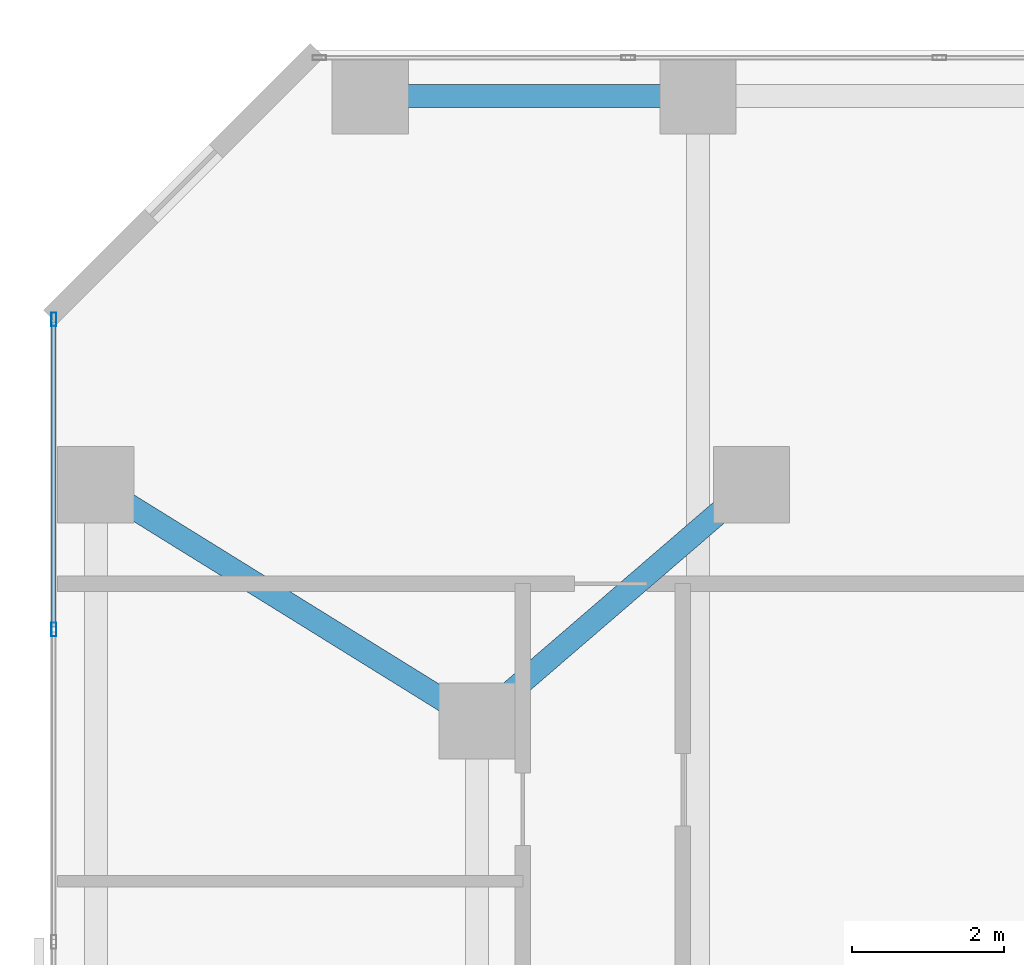
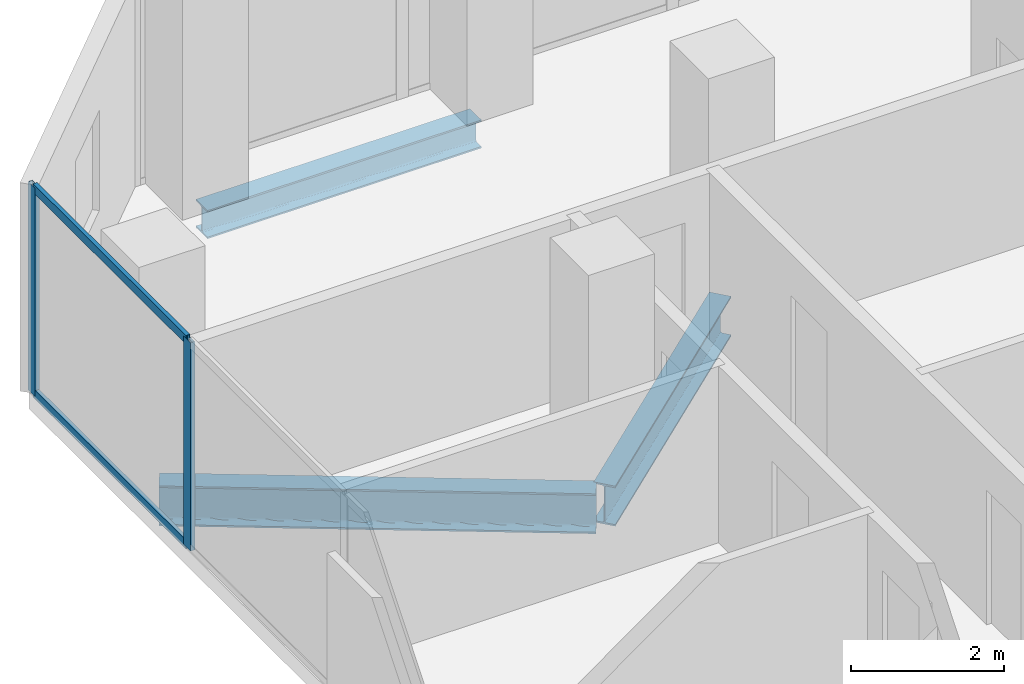
# One storey, part 18 of 31: 4 members, 3 beams, 1 element without a shape of its own.
"""IFC4 building model written with IfcOpenShell, lengths in metres."""

from ifc_helpers import new_model, si_unit, direction, frame, origin, origin_2d, place, context, subcontext, project, spatial, hollow_rectangle, i_section, extrude, material, layer, layer_set, material_profile, profile_set, type_object, element, aggregate, save


model = new_model("IFC4")

# Units and contexts
model_context = context("Model", 3, precision=1e-05, world=origin(), true_north=direction((0.0, 1.0)))
body_context = subcontext(model_context, "Body", "Model", "MODEL_VIEW")
ifc_project = project(units=[si_unit("LENGTHUNIT", "METRE"), si_unit("AREAUNIT", "SQUARE_METRE"), si_unit("VOLUMEUNIT", "CUBIC_METRE"), si_unit("PLANEANGLEUNIT", "RADIAN"), si_unit("MASSUNIT", "GRAM", prefix="KILO")], contexts=[model_context])

# Site, building, storey
site_placement = place(None, origin())
site = spatial("IfcSite", under=ifc_project, at=site_placement, CompositionType="ELEMENT")
building_placement = place(site_placement, origin())
building = spatial("IfcBuilding", under=site, at=building_placement, Name="Catumbela Crestline Tower", CompositionType="ELEMENT")
storey_placement = place(building_placement, frame((0.0, 0.0, 36.6)))
storey = spatial("IfcBuildingStorey", under=building, at=storey_placement, Name="L08", CompositionType="ELEMENT", Elevation=36.6)

# Beams
ifc_material_1 = material(Name="Structural steel S355J2", Category="steel")
ifc_material_profile_1 = material_profile(ifc_material_1, i_section(OverallWidth=0.3, OverallDepth=0.64, WebThickness=0.0135, FlangeThickness=0.026, FilletRadius=0.027, at=origin_2d()), Name="HEA 650")
ifc_profile_set_1 = profile_set([ifc_material_profile_1], Name="Structural steel S355J2")
beam_type_1 = type_object("IfcBeamType", Name="BG-HEA650", PredefinedType="BEAM", material=ifc_profile_set_1)
beam_1_placement = place(storey_placement, frame((0.668, 42.2578, -0.58), z_axis=(0.849908952007, -0.526929571479, 0.0), x_axis=(0.526929571479, 0.849908952007, 0.0)))
element("IfcBeam", 1, at=beam_1_placement, inside=storey, type_object=beam_type_1, Name="L08 Beam BM-L08-N13", PredefinedType="BEAM", context=body_context, shape_type="SweptSolid", body=[
    extrude(i_section(OverallWidth=0.3, OverallDepth=0.64, WebThickness=0.0135, FlangeThickness=0.026, FilletRadius=0.027, at=origin_2d()), origin(), (0.0, 0.0, 1.0), 5.723),
])
beam_2_placement = place(storey_placement, frame((5.6606, 39.2522, -0.58), z_axis=(0.757772392559, 0.652518966066, 0.0), x_axis=(-0.652518966066, 0.757772392559, 0.0)))
element("IfcBeam", 2, at=beam_2_placement, inside=storey, type_object=beam_type_1, Name="L08 Beam BM-L08-N14", PredefinedType="BEAM", context=body_context, shape_type="SweptSolid", body=[
    extrude(i_section(OverallWidth=0.3, OverallDepth=0.64, WebThickness=0.0135, FlangeThickness=0.026, FilletRadius=0.027, at=origin_2d()), origin(), (0.0, 0.0, 1.0), 4.5908),
])

# Curtain wall, members
ifc_material_2 = material(Name="Aluminium alloy AW-6060-T66", Category="aluminium")
ifc_layer = layer(ifc_material_2, 0.18, Name="Aluminium alloy AW-6060-T66")
ifc_layer_set = layer_set([ifc_layer], Name="Aluminium alloy AW-6060-T66")
curtain_wall_type = type_object("IfcCurtainWallType", Name="CWU-Z1", PredefinedType="USERDEFINED", material=ifc_layer_set)
curtain_wall_placement = place(storey_placement, origin())
curtain_wall = element("IfcCurtainWall", 3, at=curtain_wall_placement, inside=storey, type_object=curtain_wall_type, Name="L08 Unitised Curtain Wall CW-L08-E9S1", ObjectType="UNITISED", PredefinedType="USERDEFINED")
ifc_material_profile_2 = material_profile(ifc_material_2, hollow_rectangle(XDim=0.065, YDim=0.18, WallThickness=0.004, at=origin_2d()), Name="ALU 180x65x4")
ifc_profile_set_2 = profile_set([ifc_material_profile_2], Name="Aluminium alloy AW-6060-T66")
member_type_1 = type_object("IfcMemberType", Name="MUL-180X65", PredefinedType="MULLION", material=ifc_profile_set_2)
member_1_placement = place(storey_placement, frame((0.05, 44.4675, 0.0), z_axis=(0.0, 0.0, 1.0), x_axis=(1.0, 0.0, 0.0)))
member_1 = element("IfcMember", 4, at=member_1_placement, type_object=member_type_1, Name="CWU-Z1 mullion 1", PredefinedType="MULLION", context=body_context, shape_type="SweptSolid", body=[
    extrude(hollow_rectangle(XDim=0.065, YDim=0.18, WallThickness=0.004, at=origin_2d()), origin(), (0.0, 0.0, 1.0), 3.33),
])
member_2_placement = place(storey_placement, frame((0.05, 40.4, 0.0), z_axis=(0.0, 0.0, 1.0), x_axis=(1.0, 0.0, 0.0)))
member_2 = element("IfcMember", 5, at=member_2_placement, type_object=member_type_1, Name="CWU-Z1 mullion 2", PredefinedType="MULLION", context=body_context, shape_type="SweptSolid", body=[
    extrude(hollow_rectangle(XDim=0.065, YDim=0.18, WallThickness=0.004, at=origin_2d()), origin(), (0.0, 0.0, 1.0), 3.33),
])

# Beam
ifc_material_profile_3 = material_profile(ifc_material_1, i_section(OverallWidth=0.3, OverallDepth=0.45, WebThickness=0.014, FlangeThickness=0.026, FilletRadius=0.027, at=origin_2d()), Name="HEB 450")
ifc_profile_set_3 = profile_set([ifc_material_profile_3], Name="Structural steel S355J2")
beam_type_2 = type_object("IfcBeamType", Name="BS-HEB450", PredefinedType="SPANDREL", material=ifc_profile_set_3)
beam_3_placement = place(storey_placement, frame((4.28, 47.4, -0.485), z_axis=(1.0, 0.0, 0.0), x_axis=(0.0, 1.0, 0.0)))
element("IfcBeam", 6, at=beam_3_placement, inside=storey, type_object=beam_type_2, Name="L08 Spandrel SP-L08-NF19", PredefinedType="SPANDREL", context=body_context, shape_type="SweptSolid", body=[
    extrude(i_section(OverallWidth=0.3, OverallDepth=0.45, WebThickness=0.014, FlangeThickness=0.026, FilletRadius=0.027, at=origin_2d()), origin(), (0.0, 0.0, 1.0), 4.14),
])

# Member
ifc_material_profile_4 = material_profile(ifc_material_2, hollow_rectangle(XDim=0.06, YDim=0.14, WallThickness=0.004, at=origin_2d()), Name="ALU 140x60x4")
ifc_profile_set_4 = profile_set([ifc_material_profile_4], Name="Aluminium alloy AW-6060-T66")
member_type_2 = type_object("IfcMemberType", Name="TRN-140X60", PredefinedType="USERDEFINED", material=ifc_profile_set_4)
member_3_placement = place(storey_placement, frame((0.05, 44.435, 0.03), z_axis=(0.0, -1.0, 0.0), x_axis=(1.0, 0.0, 0.0)))
member_3 = element("IfcMember", 7, at=member_3_placement, type_object=member_type_2, Name="CWU-Z1 transom 1.1", ObjectType="TRANSOM", PredefinedType="USERDEFINED", context=body_context, shape_type="SweptSolid", body=[
    extrude(hollow_rectangle(XDim=0.06, YDim=0.14, WallThickness=0.004, at=origin_2d()), origin(), (0.0, 0.0, 1.0), 4.0025),
])

member_4_placement = place(storey_placement, frame((0.05, 44.435, 3.3), z_axis=(0.0, -1.0, 0.0), x_axis=(1.0, 0.0, 0.0)))
member_4 = element("IfcMember", 8, at=member_4_placement, type_object=member_type_2, Name="CWU-Z1 transom 1.2", ObjectType="TRANSOM", PredefinedType="USERDEFINED", context=body_context, shape_type="SweptSolid", body=[
    extrude(hollow_rectangle(XDim=0.06, YDim=0.14, WallThickness=0.004, at=origin_2d()), origin(), (0.0, 0.0, 1.0), 4.0025),
])

aggregate(curtain_wall, [member_1, member_2, member_3, member_4])

save(model, "model.ifc")
